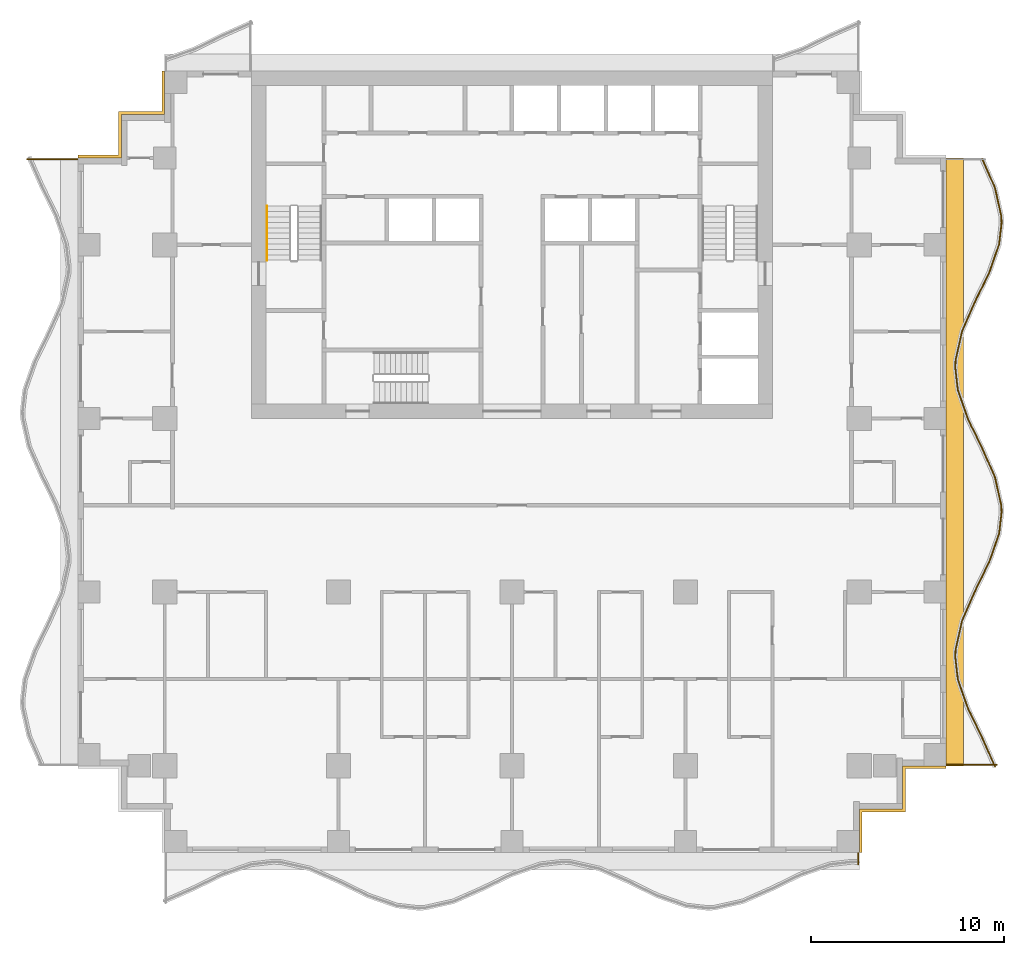
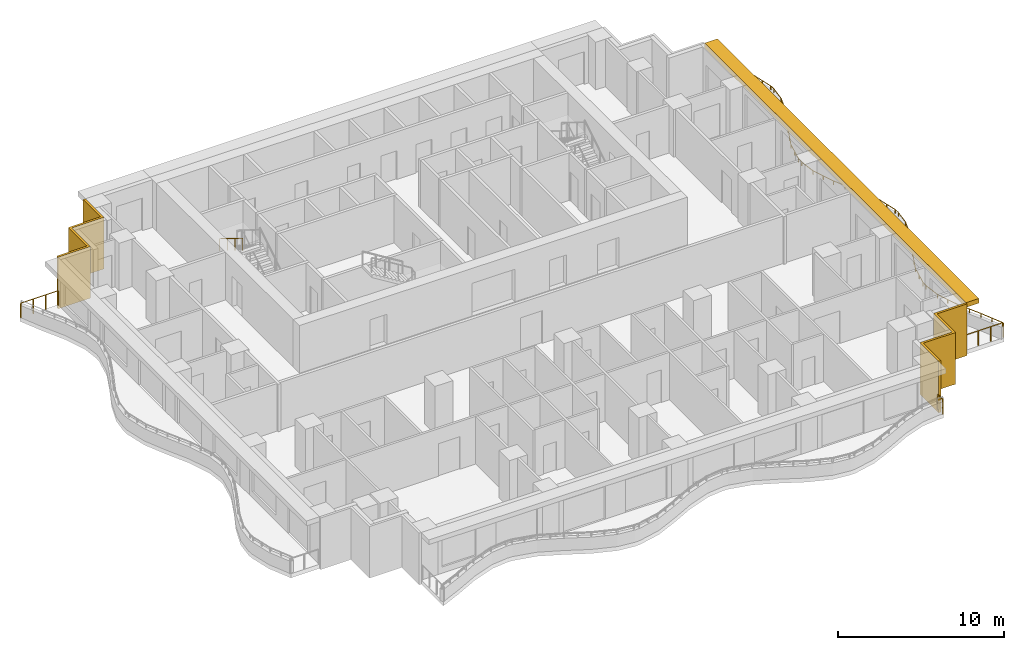
# One storey, part 9 of 10: 5 railings, 3 shading devices.
"""IFC4 building model written with IfcOpenShell, lengths in metres."""

from ifc_helpers import new_model, si_unit, direction, frame, origin, origin_2d, place, context, subcontext, project, spatial, polyline, rectangle, circle, outline, extrude, material, layer, layer_set, type_object, element, save


model = new_model("IFC4")

# Units and contexts
model_context = context("Model", 3, precision=1e-05, world=origin(), true_north=direction((0.0, 1.0)))
body_context = subcontext(model_context, "Body", "Model", "MODEL_VIEW")
ifc_project = project(units=[si_unit("LENGTHUNIT", "METRE"), si_unit("AREAUNIT", "SQUARE_METRE"), si_unit("VOLUMEUNIT", "CUBIC_METRE"), si_unit("PLANEANGLEUNIT", "RADIAN"), si_unit("MASSUNIT", "GRAM", prefix="KILO")], contexts=[model_context])

# Site, building, storey
site_placement = place(None, origin())
site = spatial("IfcSite", under=ifc_project, at=site_placement, CompositionType="ELEMENT")
building_placement = place(site_placement, origin())
building = spatial("IfcBuilding", under=site, at=building_placement, Name="Orbiselva Terraces", CompositionType="ELEMENT")
storey_placement = place(building_placement, frame((0.0, 0.0, 155.4)))
storey = spatial("IfcBuildingStorey", under=building, at=storey_placement, Name="L39", CompositionType="ELEMENT", Elevation=155.4)

# Railings
ifc_material_1 = material(Name="Stainless steel", Category="steel")
railing_type_1 = type_object("IfcRailingType", Name="CORE-HANDRAIL-900", PredefinedType="HANDRAIL", material=ifc_material_1)
railing_1_placement = place(storey_placement, frame((-12.7, 15.5, 2.072727)))
element("IfcRailing", 1, at=railing_1_placement, inside=storey, type_object=railing_type_1, Name="L39 S1 stair handrail 2", PredefinedType="HANDRAIL", context=body_context, shape_type="SweptSolid", body=[
    extrude(circle(Radius=0.024, at=origin_2d()), frame((0.0, 0.0, 0.876), z_axis=(0.0, -0.851088519012, 0.52502222125), x_axis=(1.0, 0.0, 0.0)), (0.0, 0.0, 1.0), 3.289905),
    extrude(circle(Radius=0.021, at=origin_2d()), origin(), (0.0, 0.0, 1.0), 0.852),
    extrude(circle(Radius=0.021, at=origin_2d()), frame((0.0, -0.933333, 0.575758)), (0.0, 0.0, 1.0), 0.852),
    extrude(circle(Radius=0.021, at=origin_2d()), frame((0.0, -1.866667, 1.151515)), (0.0, 0.0, 1.0), 0.852),
    extrude(circle(Radius=0.021, at=origin_2d()), frame((0.0, -2.8, 1.727273)), (0.0, 0.0, 1.0), 0.852),
])
ifc_material_2 = material(Name="Bonded two-ply safety glass balustrade, stainless steel posts", Category="steel")
railing_type_2 = type_object("IfcRailingType", Name="ENV-BALUSTRADE-1200", PredefinedType="BALUSTRADE", material=ifc_material_2)
railing_2_placement = place(storey_placement, frame((25.034136, -13.550394, 0.9)))
element("IfcRailing", 2, at=railing_2_placement, inside=storey, type_object=railing_type_2, Name="Balcony balustrade L39 E", PredefinedType="BALUSTRADE", context=body_context, shape_type="SweptSolid", body=[
    extrude(outline(polyline([(0.028868, 0.0), (0.014434, 0.025), (-0.014434, 0.025), (-0.028868, 0.0), (-0.014434, -0.025), (0.014434, -0.025), (0.028868, 0.0)])), frame((0.0, 0.0, 0.275), z_axis=(-0.403150940408, 0.915133498047, 0.0), x_axis=(-0.915133498047, -0.403150940408, 0.0)), (0.0, 0.0, 1.0), 1.636648),
    extrude(outline(polyline([(0.028868, 0.0), (0.014434, 0.025), (-0.014434, 0.025), (-0.028868, 0.0), (-0.014434, -0.025), (0.014434, -0.025), (0.028868, 0.0)])), frame((-0.659816, 1.497751, 0.275), z_axis=(-0.438812048596, 0.898578870221, 0.0), x_axis=(-0.898578870221, -0.438812048596, 0.0)), (0.0, 0.0, 1.0), 1.674225),
    extrude(outline(polyline([(0.028868, 0.0), (0.014434, 0.025), (-0.014434, 0.025), (-0.028868, 0.0), (-0.014434, -0.025), (0.014434, -0.025), (0.028868, 0.0)])), frame((-1.394486, 3.002174, 0.275), z_axis=(-0.330024597479, 0.943972332783, 0.0), x_axis=(-0.943972332783, -0.330024597479, 0.0)), (0.0, 0.0, 1.0), 1.610253),
    extrude(outline(polyline([(0.028868, 0.0), (0.014434, 0.025), (-0.014434, 0.025), (-0.028868, 0.0), (-0.014434, -0.025), (0.014434, -0.025), (0.028868, 0.0)])), frame((-1.925909, 4.522208, 0.275), z_axis=(-0.115482182324, 0.993309551734, 0.0), x_axis=(-0.993309551734, -0.115482182324, 0.0)), (0.0, 0.0, 1.0), 1.156135),
    extrude(outline(polyline([(0.028868, 0.0), (0.014434, 0.025), (-0.014434, 0.025), (-0.028868, 0.0), (-0.014434, -0.025), (0.014434, -0.025), (0.028868, 0.0)])), frame((-2.059422, 5.670608, 0.275), z_axis=(0.03936915532, 0.999224734286, 0.0), x_axis=(-0.999224734286, 0.03936915532, 0.0)), (0.0, 0.0, 1.0), 0.396376),
    extrude(outline(polyline([(0.028868, 0.0), (0.014434, 0.025), (-0.014434, 0.025), (-0.028868, 0.0), (-0.014434, -0.025), (0.014434, -0.025), (0.028868, 0.0)])), frame((-2.043817, 6.066677, 0.275), z_axis=(0.219015500924, 0.97572137947, 0.0), x_axis=(-0.97572137947, 0.219015500924, 0.0)), (0.0, 0.0, 1.0), 1.560867),
    extrude(outline(polyline([(0.028868, 0.0), (0.014434, 0.025), (-0.014434, 0.025), (-0.028868, 0.0), (-0.014434, -0.025), (0.014434, -0.025), (0.028868, 0.0)])), frame((-1.701963, 7.589648, 0.275), z_axis=(0.403150874148, 0.915133527237, 0.0), x_axis=(-0.915133527237, 0.403150874148, 0.0)), (0.0, 0.0, 1.0), 1.653736),
    extrude(outline(polyline([(0.028868, 0.0), (0.014434, 0.025), (-0.014434, 0.025), (-0.028868, 0.0), (-0.014434, -0.025), (0.014434, -0.025), (0.028868, 0.0)])), frame((-1.035258, 9.103037, 0.275), z_axis=(0.438811978768, 0.89857890432, 0.0), x_axis=(-0.89857890432, 0.438811978768, 0.0)), (0.0, 0.0, 1.0), 1.66438),
    extrude(outline(polyline([(0.028868, 0.0), (0.014434, 0.025), (-0.014434, 0.025), (-0.028868, 0.0), (-0.014434, -0.025), (0.014434, -0.025), (0.028868, 0.0)])), frame((-0.304908, 10.598614, 0.275), z_axis=(0.330024754707, 0.943972277814, 0.0), x_axis=(-0.943972277814, 0.330024754707, 0.0)), (0.0, 0.0, 1.0), 1.567807),
    extrude(outline(polyline([(0.028868, 0.0), (0.014434, 0.025), (-0.014434, 0.025), (-0.028868, 0.0), (-0.014434, -0.025), (0.014434, -0.025), (0.028868, 0.0)])), frame((0.212507, 12.07858, 0.275), z_axis=(0.115481264762, 0.993309658409, 0.0), x_axis=(-0.993309658409, 0.115481264762, 0.0)), (0.0, 0.0, 1.0), 1.10902),
    extrude(outline(polyline([(0.028868, 0.0), (0.014434, 0.025), (-0.014434, 0.025), (-0.028868, 0.0), (-0.014434, -0.025), (0.014434, -0.025), (0.028868, 0.0)])), frame((0.340578, 13.18018, 0.275), z_axis=(-0.039364150694, 0.999224931454, 0.0), x_axis=(-0.999224931454, -0.039364150694, 0.0)), (0.0, 0.0, 1.0), 0.354206),
    extrude(outline(polyline([(0.028868, 0.0), (0.014434, 0.025), (-0.014434, 0.025), (-0.028868, 0.0), (-0.014434, -0.025), (0.014434, -0.025), (0.028868, 0.0)])), frame((0.326635, 13.534111, 0.275), z_axis=(-0.219015740235, 0.975721325753, 0.0), x_axis=(-0.975721325753, -0.219015740235, 0.0)), (0.0, 0.0, 1.0), 1.513782),
    extrude(outline(polyline([(0.028868, 0.0), (0.014434, 0.025), (-0.014434, 0.025), (-0.028868, 0.0), (-0.014434, -0.025), (0.014434, -0.025), (0.028868, 0.0)])), frame((-0.004907, 15.01114, 0.275), z_axis=(-0.403151245402, 0.915133363686, 0.0), x_axis=(-0.915133363686, -0.403151245402, 0.0)), (0.0, 0.0, 1.0), 1.624475),
    extrude(outline(polyline([(0.028868, 0.0), (0.014434, 0.025), (-0.014434, 0.025), (-0.028868, 0.0), (-0.014434, -0.025), (0.014434, -0.025), (0.028868, 0.0)])), frame((-0.659816, 16.497751, 0.275), z_axis=(-0.438812048596, 0.898578870221, 0.0), x_axis=(-0.898578870221, -0.438812048596, 0.0)), (0.0, 0.0, 1.0), 1.674225),
    extrude(outline(polyline([(0.028868, 0.0), (0.014434, 0.025), (-0.014434, 0.025), (-0.028868, 0.0), (-0.014434, -0.025), (0.014434, -0.025), (0.028868, 0.0)])), frame((-1.394486, 18.002174, 0.275), z_axis=(-0.330024597479, 0.943972332783, 0.0), x_axis=(-0.943972332783, -0.330024597479, 0.0)), (0.0, 0.0, 1.0), 1.610253),
    extrude(outline(polyline([(0.028868, 0.0), (0.014434, 0.025), (-0.014434, 0.025), (-0.028868, 0.0), (-0.014434, -0.025), (0.014434, -0.025), (0.028868, 0.0)])), frame((-1.925909, 19.522208, 0.275), z_axis=(-0.115482182324, 0.993309551734, 0.0), x_axis=(-0.993309551734, -0.115482182324, 0.0)), (0.0, 0.0, 1.0), 1.156135),
    extrude(outline(polyline([(0.028868, 0.0), (0.014434, 0.025), (-0.014434, 0.025), (-0.028868, 0.0), (-0.014434, -0.025), (0.014434, -0.025), (0.028868, 0.0)])), frame((-2.059422, 20.670608, 0.275), z_axis=(0.03936915532, 0.999224734286, 0.0), x_axis=(-0.999224734286, 0.03936915532, 0.0)), (0.0, 0.0, 1.0), 0.396376),
    extrude(outline(polyline([(0.028868, 0.0), (0.014434, 0.025), (-0.014434, 0.025), (-0.028868, 0.0), (-0.014434, -0.025), (0.014434, -0.025), (0.028868, 0.0)])), frame((-2.043817, 21.066677, 0.275), z_axis=(0.219015500924, 0.97572137947, 0.0), x_axis=(-0.97572137947, 0.219015500924, 0.0)), (0.0, 0.0, 1.0), 1.560867),
    extrude(outline(polyline([(0.028868, 0.0), (0.014434, 0.025), (-0.014434, 0.025), (-0.028868, 0.0), (-0.014434, -0.025), (0.014434, -0.025), (0.028868, 0.0)])), frame((-1.701963, 22.589648, 0.275), z_axis=(0.403150874148, 0.915133527237, 0.0), x_axis=(-0.915133527237, 0.403150874148, 0.0)), (0.0, 0.0, 1.0), 1.653736),
    extrude(outline(polyline([(0.028868, 0.0), (0.014434, 0.025), (-0.014434, 0.025), (-0.028868, 0.0), (-0.014434, -0.025), (0.014434, -0.025), (0.028868, 0.0)])), frame((-1.035258, 24.103037, 0.275), z_axis=(0.438811978768, 0.89857890432, 0.0), x_axis=(-0.89857890432, 0.438811978768, 0.0)), (0.0, 0.0, 1.0), 1.66438),
    extrude(outline(polyline([(0.028868, 0.0), (0.014434, 0.025), (-0.014434, 0.025), (-0.028868, 0.0), (-0.014434, -0.025), (0.014434, -0.025), (0.028868, 0.0)])), frame((-0.304908, 25.598614, 0.275), z_axis=(0.330024754707, 0.943972277814, 0.0), x_axis=(-0.943972277814, 0.330024754707, 0.0)), (0.0, 0.0, 1.0), 1.567807),
    extrude(outline(polyline([(0.028868, 0.0), (0.014434, 0.025), (-0.014434, 0.025), (-0.028868, 0.0), (-0.014434, -0.025), (0.014434, -0.025), (0.028868, 0.0)])), frame((0.212507, 27.07858, 0.275), z_axis=(0.115481264762, 0.993309658409, 0.0), x_axis=(-0.993309658409, 0.115481264762, 0.0)), (0.0, 0.0, 1.0), 1.10902),
    extrude(outline(polyline([(0.028868, 0.0), (0.014434, 0.025), (-0.014434, 0.025), (-0.028868, 0.0), (-0.014434, -0.025), (0.014434, -0.025), (0.028868, 0.0)])), frame((0.340578, 28.18018, 0.275), z_axis=(-0.039364150694, 0.999224931454, 0.0), x_axis=(-0.999224931454, -0.039364150694, 0.0)), (0.0, 0.0, 1.0), 0.354206),
    extrude(outline(polyline([(0.028868, 0.0), (0.014434, 0.025), (-0.014434, 0.025), (-0.028868, 0.0), (-0.014434, -0.025), (0.014434, -0.025), (0.028868, 0.0)])), frame((0.326635, 28.534111, 0.275), z_axis=(-0.219015740235, 0.975721325753, 0.0), x_axis=(-0.975721325753, -0.219015740235, 0.0)), (0.0, 0.0, 1.0), 1.513782),
    extrude(outline(polyline([(0.028868, 0.0), (0.014434, 0.025), (-0.014434, 0.025), (-0.028868, 0.0), (-0.014434, -0.025), (0.014434, -0.025), (0.028868, 0.0)])), frame((-0.004907, 30.01114, 0.275), z_axis=(-0.403151363532, 0.915133311645, 0.0), x_axis=(-0.915133311645, -0.403151363532, 0.0)), (0.0, 0.0, 1.0), 1.626932),
    extrude(rectangle(XDim=0.05, YDim=0.05, at=origin_2d()), origin(), (0.0, 0.0, 1.0), 0.25),
    extrude(rectangle(XDim=0.05, YDim=0.05, at=origin_2d()), frame((-0.329908, 0.748876, 0.0)), (0.0, 0.0, 1.0), 0.25),
    extrude(rectangle(XDim=0.05, YDim=0.05, at=origin_2d()), frame((-0.659816, 1.497751, 0.0)), (0.0, 0.0, 1.0), 0.25),
    extrude(rectangle(XDim=0.05, YDim=0.05, at=origin_2d()), frame((-1.027151, 2.249963, 0.0)), (0.0, 0.0, 1.0), 0.25),
    extrude(rectangle(XDim=0.05, YDim=0.05, at=origin_2d()), frame((-1.394486, 3.002174, 0.0)), (0.0, 0.0, 1.0), 0.25),
    extrude(rectangle(XDim=0.05, YDim=0.05, at=origin_2d()), frame((-1.660198, 3.762191, 0.0)), (0.0, 0.0, 1.0), 0.25),
    extrude(rectangle(XDim=0.05, YDim=0.05, at=origin_2d()), frame((-1.925909, 4.522208, 0.0)), (0.0, 0.0, 1.0), 0.25),
    extrude(rectangle(XDim=0.05, YDim=0.05, at=origin_2d()), frame((-2.059422, 5.670608, 0.0)), (0.0, 0.0, 1.0), 0.25),
    extrude(rectangle(XDim=0.05, YDim=0.05, at=origin_2d()), frame((-2.043817, 6.066677, 0.0)), (0.0, 0.0, 1.0), 0.25),
    extrude(rectangle(XDim=0.05, YDim=0.05, at=origin_2d()), frame((-1.87289, 6.828162, 0.0)), (0.0, 0.0, 1.0), 0.25),
    extrude(rectangle(XDim=0.05, YDim=0.05, at=origin_2d()), frame((-1.701963, 7.589648, 0.0)), (0.0, 0.0, 1.0), 0.25),
    extrude(rectangle(XDim=0.05, YDim=0.05, at=origin_2d()), frame((-1.36861, 8.346342, 0.0)), (0.0, 0.0, 1.0), 0.25),
    extrude(rectangle(XDim=0.05, YDim=0.05, at=origin_2d()), frame((-1.035258, 9.103037, 0.0)), (0.0, 0.0, 1.0), 0.25),
    extrude(rectangle(XDim=0.05, YDim=0.05, at=origin_2d()), frame((-0.670083, 9.850826, 0.0)), (0.0, 0.0, 1.0), 0.25),
    extrude(rectangle(XDim=0.05, YDim=0.05, at=origin_2d()), frame((-0.304908, 10.598614, 0.0)), (0.0, 0.0, 1.0), 0.25),
    extrude(rectangle(XDim=0.05, YDim=0.05, at=origin_2d()), frame((-0.046201, 11.338597, 0.0)), (0.0, 0.0, 1.0), 0.25),
    extrude(rectangle(XDim=0.05, YDim=0.05, at=origin_2d()), frame((0.212507, 12.07858, 0.0)), (0.0, 0.0, 1.0), 0.25),
    extrude(rectangle(XDim=0.05, YDim=0.05, at=origin_2d()), frame((0.340578, 13.18018, 0.0)), (0.0, 0.0, 1.0), 0.25),
    extrude(rectangle(XDim=0.05, YDim=0.05, at=origin_2d()), frame((0.326635, 13.534111, 0.0)), (0.0, 0.0, 1.0), 0.25),
    extrude(rectangle(XDim=0.05, YDim=0.05, at=origin_2d()), frame((0.160864, 14.272626, 0.0)), (0.0, 0.0, 1.0), 0.25),
    extrude(rectangle(XDim=0.05, YDim=0.05, at=origin_2d()), frame((-0.004907, 15.01114, 0.0)), (0.0, 0.0, 1.0), 0.25),
    extrude(rectangle(XDim=0.05, YDim=0.05, at=origin_2d()), frame((-0.332361, 15.754446, 0.0)), (0.0, 0.0, 1.0), 0.25),
    extrude(rectangle(XDim=0.05, YDim=0.05, at=origin_2d()), frame((-0.659816, 16.497751, 0.0)), (0.0, 0.0, 1.0), 0.25),
    extrude(rectangle(XDim=0.05, YDim=0.05, at=origin_2d()), frame((-1.027151, 17.249963, 0.0)), (0.0, 0.0, 1.0), 0.25),
    extrude(rectangle(XDim=0.05, YDim=0.05, at=origin_2d()), frame((-1.394486, 18.002174, 0.0)), (0.0, 0.0, 1.0), 0.25),
    extrude(rectangle(XDim=0.05, YDim=0.05, at=origin_2d()), frame((-1.660198, 18.762191, 0.0)), (0.0, 0.0, 1.0), 0.25),
    extrude(rectangle(XDim=0.05, YDim=0.05, at=origin_2d()), frame((-1.925909, 19.522208, 0.0)), (0.0, 0.0, 1.0), 0.25),
    extrude(rectangle(XDim=0.05, YDim=0.05, at=origin_2d()), frame((-2.059422, 20.670608, 0.0)), (0.0, 0.0, 1.0), 0.25),
    extrude(rectangle(XDim=0.05, YDim=0.05, at=origin_2d()), frame((-2.043817, 21.066677, 0.0)), (0.0, 0.0, 1.0), 0.25),
    extrude(rectangle(XDim=0.05, YDim=0.05, at=origin_2d()), frame((-1.87289, 21.828162, 0.0)), (0.0, 0.0, 1.0), 0.25),
    extrude(rectangle(XDim=0.05, YDim=0.05, at=origin_2d()), frame((-1.701963, 22.589648, 0.0)), (0.0, 0.0, 1.0), 0.25),
    extrude(rectangle(XDim=0.05, YDim=0.05, at=origin_2d()), frame((-1.36861, 23.346342, 0.0)), (0.0, 0.0, 1.0), 0.25),
    extrude(rectangle(XDim=0.05, YDim=0.05, at=origin_2d()), frame((-1.035258, 24.103037, 0.0)), (0.0, 0.0, 1.0), 0.25),
    extrude(rectangle(XDim=0.05, YDim=0.05, at=origin_2d()), frame((-0.670083, 24.850826, 0.0)), (0.0, 0.0, 1.0), 0.25),
    extrude(rectangle(XDim=0.05, YDim=0.05, at=origin_2d()), frame((-0.304908, 25.598614, 0.0)), (0.0, 0.0, 1.0), 0.25),
    extrude(rectangle(XDim=0.05, YDim=0.05, at=origin_2d()), frame((-0.046201, 26.338597, 0.0)), (0.0, 0.0, 1.0), 0.25),
    extrude(rectangle(XDim=0.05, YDim=0.05, at=origin_2d()), frame((0.212507, 27.07858, 0.0)), (0.0, 0.0, 1.0), 0.25),
    extrude(rectangle(XDim=0.05, YDim=0.05, at=origin_2d()), frame((0.340578, 28.18018, 0.0)), (0.0, 0.0, 1.0), 0.25),
    extrude(rectangle(XDim=0.05, YDim=0.05, at=origin_2d()), frame((0.326635, 28.534111, 0.0)), (0.0, 0.0, 1.0), 0.25),
    extrude(rectangle(XDim=0.05, YDim=0.05, at=origin_2d()), frame((0.160864, 29.272626, 0.0)), (0.0, 0.0, 1.0), 0.25),
    extrude(rectangle(XDim=0.05, YDim=0.05, at=origin_2d()), frame((-0.004907, 30.01114, 0.0)), (0.0, 0.0, 1.0), 0.25),
    extrude(rectangle(XDim=0.05, YDim=0.05, at=origin_2d()), frame((-0.332857, 30.75557, 0.0)), (0.0, 0.0, 1.0), 0.25),
    extrude(rectangle(XDim=0.05, YDim=0.05, at=origin_2d()), frame((-0.660807, 31.5, 0.0)), (0.0, 0.0, 1.0), 0.25),
])
ifc_material_3 = material(Name="Stainless steel rail and posts", Category="steel")
railing_type_3 = type_object("IfcRailingType", Name="ENV-GUARD-1105", PredefinedType="BALUSTRADE", material=ifc_material_3)
railing_3_placement = place(storey_placement, frame((17.94, -18.610431, 0.0)))
element("IfcRailing", 3, at=railing_3_placement, inside=storey, type_object=railing_type_3, Name="Balcony end guard L39 S", PredefinedType="BALUSTRADE", context=body_context, shape_type="SweptSolid", body=[
    extrude(outline(polyline([(0.028868, 0.0), (0.014434, 0.025), (-0.014434, 0.025), (-0.028868, 0.0), (-0.014434, -0.025), (0.014434, -0.025), (0.028868, 0.0)])), frame((0.0, 0.0, 1.08), z_axis=(0.0, 1.0, 0.0), x_axis=(-1.0, 0.0, 0.0)), (0.0, 0.0, 1.0), 0.585431),
    extrude(rectangle(XDim=0.05, YDim=0.05, at=origin_2d()), origin(), (0.0, 0.0, 1.0), 1.055),
    extrude(rectangle(XDim=0.05, YDim=0.05, at=origin_2d()), frame((0.0, 0.585431, 0.0)), (0.0, 0.0, 1.0), 1.055),
])
railing_4_placement = place(storey_placement, frame((25.126937, -13.44, 0.0)))
element("IfcRailing", 4, at=railing_4_placement, inside=storey, type_object=railing_type_3, Name="Balcony end guard L39 E", PredefinedType="BALUSTRADE", context=body_context, shape_type="SweptSolid", body=[
    extrude(outline(polyline([(0.028868, 0.0), (0.014434, 0.025), (-0.014434, 0.025), (-0.028868, 0.0), (-0.014434, -0.025), (0.014434, -0.025), (0.028868, 0.0)])), frame((0.0, 0.0, 1.08), z_axis=(-1.0, 0.0, 0.0), x_axis=(0.0, -1.0, 0.0)), (0.0, 0.0, 1.0), 2.601937),
    extrude(rectangle(XDim=0.05, YDim=0.05, at=origin_2d()), origin(), (0.0, 0.0, 1.0), 1.055),
    extrude(rectangle(XDim=0.05, YDim=0.05, at=origin_2d()), frame((-0.867312, 0.0, 0.0)), (0.0, 0.0, 1.0), 1.055),
    extrude(rectangle(XDim=0.05, YDim=0.05, at=origin_2d()), frame((-1.734625, 0.0, 0.0)), (0.0, 0.0, 1.0), 1.055),
    extrude(rectangle(XDim=0.05, YDim=0.05, at=origin_2d()), frame((-2.601937, 0.0, 0.0)), (0.0, 0.0, 1.0), 1.055),
])
railing_5_placement = place(storey_placement, frame((-25.126937, 17.94, 0.0)))
element("IfcRailing", 5, at=railing_5_placement, inside=storey, type_object=railing_type_3, Name="Balcony end guard L39 W", PredefinedType="BALUSTRADE", context=body_context, shape_type="SweptSolid", body=[
    extrude(outline(polyline([(0.028868, 0.0), (0.014434, 0.025), (-0.014434, 0.025), (-0.028868, 0.0), (-0.014434, -0.025), (0.014434, -0.025), (0.028868, 0.0)])), frame((0.0, 0.0, 1.08), z_axis=(1.0, 0.0, 0.0), x_axis=(0.0, 1.0, 0.0)), (0.0, 0.0, 1.0), 2.601937),
    extrude(rectangle(XDim=0.05, YDim=0.05, at=origin_2d()), origin(), (0.0, 0.0, 1.0), 1.055),
    extrude(rectangle(XDim=0.05, YDim=0.05, at=origin_2d()), frame((0.867312, 0.0, 0.0)), (0.0, 0.0, 1.0), 1.055),
    extrude(rectangle(XDim=0.05, YDim=0.05, at=origin_2d()), frame((1.734625, 0.0, 0.0)), (0.0, 0.0, 1.0), 1.055),
    extrude(rectangle(XDim=0.05, YDim=0.05, at=origin_2d()), frame((2.601937, 0.0, 0.0)), (0.0, 0.0, 1.0), 1.055),
])

# Shading devices
ifc_material_4 = material(Name="Terracotta louvre screen", Category="masonry")
ifc_layer_1 = layer(ifc_material_4, 0.15)
ifc_layer_set_1 = layer_set([ifc_layer_1], Name="Terracotta louvre screen")
shading_device_type_1 = type_object("IfcShadingDeviceType", Name="ENV-SCREEN-150", PredefinedType="USERDEFINED", material=ifc_layer_set_1)
shading_device_1_placement = place(storey_placement, frame((0.0, 0.0, -0.3)))
element("IfcShadingDevice", 6, at=shading_device_1_placement, inside=storey, type_object=shading_device_type_1, Name="Louvre screen L39 NW", ObjectType="SCREEN", PredefinedType="USERDEFINED", context=body_context, shape_type="SweptSolid", body=[
    extrude(outline(polyline([(-18.15, 22.5), (-18.15, 20.4), (-20.4, 20.4), (-20.4, 18.15), (-22.5, 18.15), (-22.5, 18.0), (-20.25, 18.0), (-20.25, 20.25), (-18.0, 20.25), (-18.0, 22.5), (-18.15, 22.5)])), origin(), (0.0, 0.0, 1.0), 3.8),
])
shading_device_2_placement = place(storey_placement, frame((0.0, 0.0, -0.3)))
element("IfcShadingDevice", 7, at=shading_device_2_placement, inside=storey, type_object=shading_device_type_1, Name="Louvre screen L39 SE", ObjectType="SCREEN", PredefinedType="USERDEFINED", context=body_context, shape_type="SweptSolid", body=[
    extrude(outline(polyline([(18.15, -18.0), (18.15, -15.9), (20.4, -15.9), (20.4, -13.65), (22.5, -13.65), (22.5, -13.5), (20.25, -13.5), (20.25, -15.75), (18.0, -15.75), (18.0, -18.0), (18.15, -18.0)])), origin(), (0.0, 0.0, 1.0), 3.8),
])
ifc_material_5 = material(Name="Terracotta baguette sunshade", Category="masonry")
ifc_layer_2 = layer(ifc_material_5, 0.35)
ifc_layer_set_2 = layer_set([ifc_layer_2], Name="Terracotta baguette sunshade")
shading_device_type_2 = type_object("IfcShadingDeviceType", Name="ENV-SUNSHADE-900x350", PredefinedType="USERDEFINED", material=ifc_layer_set_2)
shading_device_3_placement = place(storey_placement, frame((0.0, 0.0, 3.15)))
element("IfcShadingDevice", 8, at=shading_device_3_placement, inside=storey, type_object=shading_device_type_2, Name="Sunshade band L39 E", ObjectType="SUNSHADE", PredefinedType="USERDEFINED", context=body_context, shape_type="SweptSolid", body=[
    extrude(outline(polyline([(23.4, -13.5), (23.4, 18.0), (22.5, 18.0), (22.5, -13.5), (23.4, -13.5)])), origin(), (0.0, 0.0, 1.0), 0.35),
])

save(model, "model.ifc")
